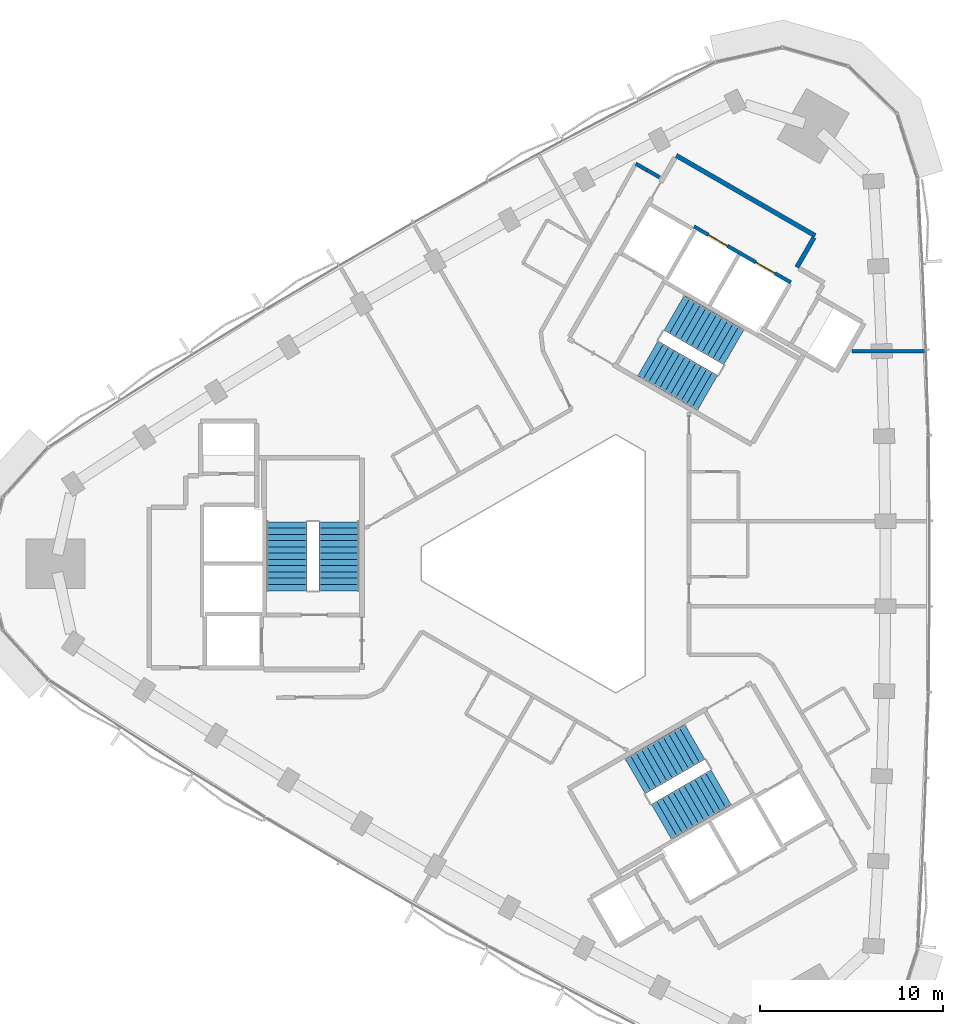
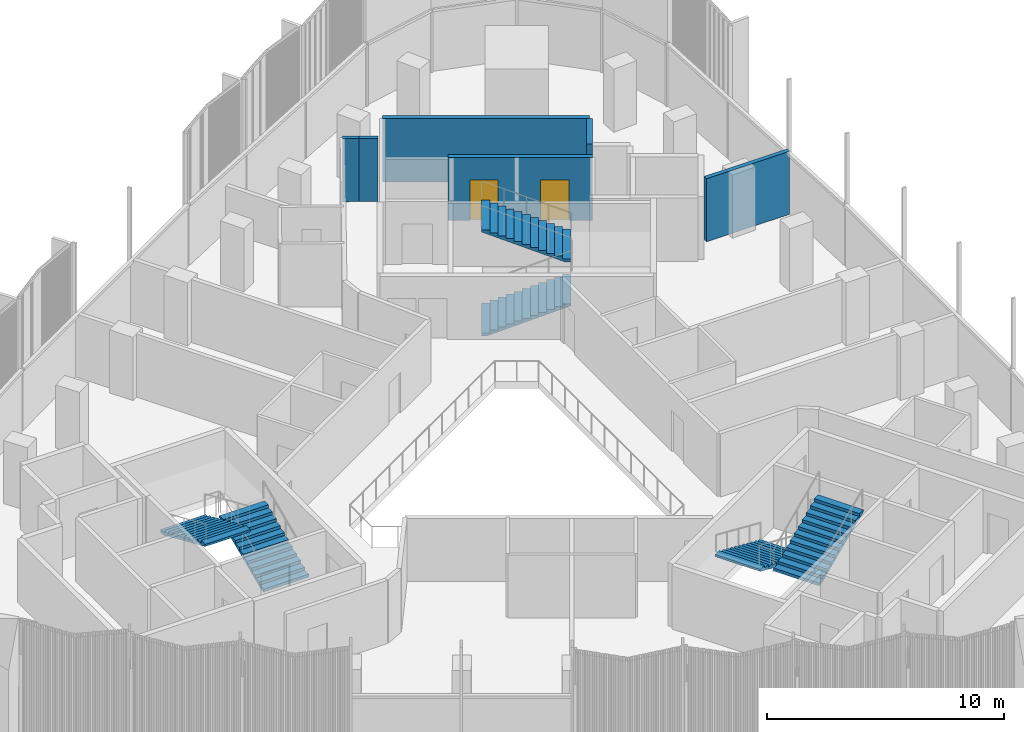
# One storey, part 10 of 13: 6 stair flights, 6 walls, 2 doors, 2 openings, 3 elements without a shape of their own.
"""IFC4 building model written with IfcOpenShell, lengths in metres."""

import ifcopenshell
import ifcopenshell.guid

model = None  # the IFC model being written
_history = None  # IfcOwnerHistory: only IFC2X3 demands one
_inside = {}  # id of a spatial element -> (the spatial element, [elements in it])
_under = {}  # id of a project, library or spatial element -> (it, [spatial elements below it])
_declared = {}  # id of a project -> (the project, [libraries it declares])
_typed = {}  # id of a type object -> (the type object, [elements of that type])
_made_of = {}  # id of a material, layer set ... -> (it, [elements and type objects made of it])


def new_model(schema):
    """Start an empty IFC model of exactly this schema.

    Asked for "IFC4X3", IfcOpenShell would pick the latest addendum, in which some entities
    have other attributes; the version numbers below select the first issue.
    IFC2X3 requires an IfcOwnerHistory on every rooted entity: one is made here for all.
    """
    global model, _history
    if schema == "IFC4X3":
        model = ifcopenshell.file(schema_version=(4, 3, 0, 0))
    else:
        model = ifcopenshell.file(schema=schema)
    _inside.clear()
    _under.clear()
    _declared.clear()
    _typed.clear()
    _made_of.clear()
    _history = None
    if model.schema == "IFC2X3":
        org = make("IfcOrganization", Name="unknown")
        user = make(
            "IfcPersonAndOrganization",
            ThePerson=make("IfcPerson", FamilyName="unknown"),
            TheOrganization=org,
        )
        app = make(
            "IfcApplication",
            ApplicationDeveloper=org,
            Version="unknown",
            ApplicationFullName="unknown",
            ApplicationIdentifier="unknown",
        )
        _history = make(
            "IfcOwnerHistory",
            OwningUser=user,
            OwningApplication=app,
            ChangeAction="ADDED",
            CreationDate=0,
        )
    return model


def make(cls, **values):
    """One entity of the class cls with the attributes given. An attribute that is None is left unset."""
    return model.create_entity(
        cls, **{name: value for name, value in values.items() if value is not None}
    )


def rooted(cls, **values):
    """An entity with a GlobalId (a new one), such as an element, a storey or a relation."""
    return make(cls, GlobalId=ifcopenshell.guid.new(), OwnerHistory=_history, **values)


def si_unit(unit_type, name, prefix=None):
    """IfcSIUnit, for example si_unit("LENGTHUNIT", "METRE", prefix="MILLI")."""
    return make("IfcSIUnit", UnitType=unit_type, Prefix=prefix, Name=name)


def assignment(units):
    """IfcUnitAssignment: the units of a project."""
    return None if units is None else make("IfcUnitAssignment", Units=units)


def point(xyz):
    """IfcCartesianPoint."""
    return None if xyz is None else make("IfcCartesianPoint", Coordinates=xyz)


def direction(xyz):
    """IfcDirection."""
    return None if xyz is None else make("IfcDirection", DirectionRatios=xyz)


def frame(location, z_axis=None, x_axis=None):
    """IfcAxis2Placement3D, a coordinate frame: its origin and axes. An axis left out is left unset."""
    return make(
        "IfcAxis2Placement3D",
        Location=point(location),
        Axis=direction(z_axis),
        RefDirection=direction(x_axis),
    )


def frame_2d(location, x_axis=None):
    """IfcAxis2Placement2D, a coordinate frame in the plane: its origin and x axis."""
    return make(
        "IfcAxis2Placement2D", Location=point(location), RefDirection=direction(x_axis)
    )


def origin():
    """The frame at (0, 0, 0) with its axes left unset."""
    return frame((0.0, 0.0, 0.0))


def place(relative_to, where):
    """IfcLocalPlacement: puts the frame where relative to a parent placement (None: the world)."""
    return make(
        "IfcLocalPlacement", PlacementRelTo=relative_to, RelativePlacement=where
    )


def context(
    kind, dimensions, precision=None, world=None, true_north=None, identifier=None
):
    """IfcGeometricRepresentationContext, for example the 3D "Model" context."""
    return make(
        "IfcGeometricRepresentationContext",
        ContextIdentifier=identifier,
        ContextType=kind,
        CoordinateSpaceDimension=dimensions,
        Precision=precision,
        WorldCoordinateSystem=world,
        TrueNorth=true_north,
    )


def subcontext(parent, identifier, kind, view, scale=None):
    """IfcGeometricRepresentationSubContext, for example "Body" below "Model"."""
    return make(
        "IfcGeometricRepresentationSubContext",
        ContextIdentifier=identifier,
        ContextType=kind,
        ParentContext=parent,
        TargetScale=scale,
        TargetView=view,
    )


def project(units=None, contexts=None):
    """IfcProject with its units and contexts."""
    return rooted(
        "IfcProject",
        Name="project",
        RepresentationContexts=contexts,
        UnitsInContext=assignment(units),
    )


def spatial(cls, under=None, at=None, **own):
    """A site, building, storey or space (cls), placed at a placement, below another one or the project."""
    s = rooted(cls, ObjectPlacement=at, **own)
    if under is not None:
        _under.setdefault(under.id(), (under, []))[1].append(s)
    return s


def polyline(points):
    """IfcPolyline through the points."""
    return make("IfcPolyline", Points=[point(p) for p in points])


def profile(cls, at=None, kind="AREA", **sizes):
    """A parametric profile (cls). Its sizes go by their IFC names, for example OverallWidth=200.0."""
    return make(cls, ProfileType=kind, Position=at, **sizes)


def rectangle(**sizes):
    """IfcRectangleProfileDef."""
    return profile("IfcRectangleProfileDef", **sizes)


def outline(outer, holes=None, kind="AREA"):
    """IfcArbitraryClosedProfileDef: a profile drawn as a closed curve; with holes, ...WithVoids."""
    if holes is None:
        return make("IfcArbitraryClosedProfileDef", ProfileType=kind, OuterCurve=outer)
    return make(
        "IfcArbitraryProfileDefWithVoids",
        ProfileType=kind,
        OuterCurve=outer,
        InnerCurves=holes,
    )


def extrude(swept, where, along, depth):
    """IfcExtrudedAreaSolid: the profile swept, set in the frame where, extruded along a direction by depth."""
    return make(
        "IfcExtrudedAreaSolid",
        SweptArea=swept,
        Position=where,
        ExtrudedDirection=direction(along),
        Depth=depth,
    )


def shape(context_of_items, identifier, shape_type, items):
    """IfcShapeRepresentation: the items that make up one representation, for example the "Body"."""
    return make(
        "IfcShapeRepresentation",
        ContextOfItems=context_of_items,
        RepresentationIdentifier=identifier,
        RepresentationType=shape_type,
        Items=items,
    )


def material(Name=None, Category=None):
    """IfcMaterial."""
    return make("IfcMaterial", Name=Name, Category=Category)


def layer(
    of_material, thickness, ventilated=None, Name=None, Category=None, Priority=None
):
    """IfcMaterialLayer: one layer of a wall or slab, of a material (None: an air gap)."""
    return make(
        "IfcMaterialLayer",
        Material=of_material,
        LayerThickness=thickness,
        IsVentilated=ventilated,
        Name=Name,
        Category=Category,
        Priority=Priority,
    )


def layer_set(layers, Name=None):
    """IfcMaterialLayerSet."""
    return make("IfcMaterialLayerSet", MaterialLayers=layers, LayerSetName=Name)


def made_of(thing, what):
    """Note that an element or type object is made of a material, layer set ...; save() writes the relation."""
    if what is not None:
        _made_of.setdefault(what.id(), (what, []))[1].append(thing)
    return thing


def type_object(cls, material=None, **own):
    """A type object (cls), such as IfcWallType, which elements share."""
    return made_of(rooted(cls, **own), material)


def element(
    cls,
    number,
    at=None,
    inside=None,
    cuts=None,
    type_object=None,
    material=None,
    context=None,
    identifier="Body",
    shape_type=None,
    held_by="IfcProductDefinitionShape",
    body=None,
    shapes=None,
    **own,
):
    """One element of the class cls, such as IfcWall. Its Tag is "e" and its number.

    at: its placement. inside: the storey or other place that contains it. cuts: it is an
    opening in that element (IfcRelVoidsElement). A single representation is given by context,
    identifier, shape_type and body (its items); several are given by shapes. held_by: the class
    of the entity that holds the representations. save() writes the other relations.
    """
    e = rooted(cls, Tag="e%d" % number, ObjectPlacement=at, **own)
    if body is not None:
        shapes = [shape(context, identifier, shape_type, body)]
    if shapes is not None:
        e.Representation = make(held_by, Representations=shapes)
    if inside is not None:
        _inside.setdefault(inside.id(), (inside, []))[1].append(e)
    if cuts is not None:
        rooted(
            "IfcRelVoidsElement", RelatingBuildingElement=cuts, RelatedOpeningElement=e
        )
    if type_object is not None:
        _typed.setdefault(type_object.id(), (type_object, []))[1].append(e)
    return made_of(e, material)


def fill(opening, filler):
    """IfcRelFillsElement: the door or window that sits in an opening."""
    return rooted(
        "IfcRelFillsElement",
        RelatingOpeningElement=opening,
        RelatedBuildingElement=filler,
    )


def aggregate(whole, parts):
    """IfcRelAggregates: a whole, such as a stair, and the parts it consists of."""
    return rooted("IfcRelAggregates", RelatingObject=whole, RelatedObjects=parts)


def save(model, path):
    """Write the relations noted so far, then the file.

    IfcRelAggregates (storeys below a building ...), IfcRelContainedInSpatialStructure (elements
    in a storey), IfcRelDefinesByType, IfcRelAssociatesMaterial and IfcRelDeclares: one each for
    every whole, place, type object, material and project.
    """
    for whole, parts in _under.values():
        aggregate(whole, parts)
    for where, things in _inside.values():
        rooted(
            "IfcRelContainedInSpatialStructure",
            RelatedElements=things,
            RelatingStructure=where,
        )
    for kind, things in _typed.values():
        rooted("IfcRelDefinesByType", RelatedObjects=things, RelatingType=kind)
    for what, things in _made_of.values():
        rooted("IfcRelAssociatesMaterial", RelatedObjects=things, RelatingMaterial=what)
    for by, libraries in _declared.values():
        rooted("IfcRelDeclares", RelatingContext=by, RelatedDefinitions=libraries)
    model.write(path)


model = new_model("IFC4")

# Units and contexts
model_context = context("Model", 3, precision=1e-05, world=origin(), true_north=direction((0.0, 1.0)))
body_context = subcontext(model_context, "Body", "Model", "MODEL_VIEW")
ifc_project = project(units=[si_unit("LENGTHUNIT", "METRE"), si_unit("AREAUNIT", "SQUARE_METRE"), si_unit("VOLUMEUNIT", "CUBIC_METRE"), si_unit("PLANEANGLEUNIT", "RADIAN"), si_unit("MASSUNIT", "GRAM", prefix="KILO")], contexts=[model_context])

# Site, building, storey
site_placement = place(None, origin())
site = spatial("IfcSite", under=ifc_project, at=site_placement, CompositionType="ELEMENT")
building_placement = place(site_placement, origin())
building = spatial("IfcBuilding", under=site, at=building_placement, Name="Tamra Quay Hotel Tower", CompositionType="ELEMENT")
storey_placement = place(building_placement, frame((0.0, 0.0, 186.39990234375)))
storey = spatial("IfcBuildingStorey", under=building, at=storey_placement, Name="L46", CompositionType="ELEMENT", Elevation=186.39990234375)

# Wall, openings, doors
ifc_material_1 = material(Name="Concrete M70", Category="concrete")
ifc_layer_1 = layer(ifc_material_1, 0.199951171875)
ifc_layer_set_1 = layer_set([ifc_layer_1], Name="Concrete M70 core wall 200")
wall_type_1 = type_object("IfcWallType", Name="Concrete M70 core wall 200", PredefinedType="SHEAR", material=ifc_layer_set_1)
wall_1_placement = place(storey_placement, frame((12.552490234375, 15.341552734375, 0.0), z_axis=(0.0, 0.0, 1.0), x_axis=(-0.866030299012, 0.499991521122, 0.0)))
wall_1 = element("IfcWall", 1, at=wall_1_placement, inside=storey, type_object=wall_type_1, Name="CW2", PredefinedType="SHEAR", context=body_context, shape_type="SweptSolid", body=[
    extrude(rectangle(XDim=6.10009765625, YDim=0.199951171875, at=frame_2d((3.050048828125, 0.0))), origin(), (0.0, 0.0, 1.0), 3.25),
])
opening_1_placement = place(wall_1_placement, frame((1.0, 0.0, 0.0)))
opening_1 = element("IfcOpeningElement", 2, at=opening_1_placement, cuts=wall_1, Name="Opening LD", PredefinedType="OPENING", context=body_context, shape_type="SweptSolid", body=[
    extrude(rectangle(XDim=1.199951171875, YDim=2.10009765625, at=frame_2d((0.60009765625, 1.050048828125))), frame((0.0, 0.10986328125, 0.0), z_axis=(0.0, -1.0, 0.0), x_axis=(1.0, 0.0, 0.0)), (0.0, 0.0, 1.0), 0.219970703125),
])
opening_2_placement = place(wall_1_placement, frame((3.982177734375, 0.0, 0.0)))
opening_2 = element("IfcOpeningElement", 3, at=opening_2_placement, cuts=wall_1, Name="Opening LD", PredefinedType="OPENING", context=body_context, shape_type="SweptSolid", body=[
    extrude(rectangle(XDim=1.199951171875, YDim=2.10009765625, at=frame_2d((0.60009765625, 1.050048828125))), frame((0.0, 0.10986328125, 0.0), z_axis=(0.0, -1.0, 0.0), x_axis=(1.0, 0.0, 0.0)), (0.0, 0.0, 1.0), 0.219970703125),
])
ifc_material_2 = material(Name="Landing door LD 1200 double door sliding")
door_type = type_object("IfcDoorType", Name="Landing door LD 1200 double door sliding", OperationType="DOUBLE_DOOR_SLIDING", PredefinedType="DOOR", material=ifc_material_2)
door_1_placement = place(opening_1_placement, origin())
door_1 = element("IfcDoor", 4, at=door_1_placement, inside=storey, type_object=door_type, Name="LD", OperationType="DOUBLE_DOOR_SLIDING", OverallHeight=2.10009765625, OverallWidth=1.199951171875, PredefinedType="DOOR", context=body_context, shape_type="SweptSolid", body=[
    extrude(rectangle(XDim=1.199951171875, YDim=2.10009765625, at=frame_2d((0.60009765625, 1.050048828125))), frame((0.0, 0.02490234375, 0.0), z_axis=(0.0, -1.0, 0.0), x_axis=(1.0, 0.0, 0.0)), (0.0, 0.0, 1.0), 0.050048828125),
])
fill(opening_1, door_1)
door_2_placement = place(opening_2_placement, origin())
door_2 = element("IfcDoor", 5, at=door_2_placement, inside=storey, type_object=door_type, Name="LD", OperationType="DOUBLE_DOOR_SLIDING", OverallHeight=2.10009765625, OverallWidth=1.199951171875, PredefinedType="DOOR", context=body_context, shape_type="SweptSolid", body=[
    extrude(rectangle(XDim=1.199951171875, YDim=2.10009765625, at=frame_2d((0.60009765625, 1.050048828125))), frame((0.0, 0.02490234375, 0.0), z_axis=(0.0, -1.0, 0.0), x_axis=(1.0, 0.0, 0.0)), (0.0, 0.0, 1.0), 0.050048828125),
])
fill(opening_2, door_2)

# Walls
ifc_layer_2 = layer(ifc_material_1, 0.25)
ifc_layer_set_2 = layer_set([ifc_layer_2], Name="Concrete M70 core wall 250")
wall_type_2 = type_object("IfcWallType", Name="Concrete M70 core wall 250", PredefinedType="SHEAR", material=ifc_layer_set_2)
wall_2_placement = place(storey_placement, frame((6.303955078125, 22.268798828125, 0.0), z_axis=(0.0, 0.0, 1.0), x_axis=(0.866022959057, -0.500004234368, 0.0)))
element("IfcWall", 6, at=wall_2_placement, inside=storey, type_object=wall_type_2, Name="CW1", PredefinedType="SHEAR", context=body_context, shape_type="SweptSolid", body=[
    extrude(rectangle(XDim=8.75, YDim=0.25, at=frame_2d((4.375, 0.0))), origin(), (0.0, 0.0, 1.0), 3.25),
])
wall_3_placement = place(storey_placement, frame((13.819091796875, 17.78515625, 0.0), z_axis=(0.0, 0.0, 1.0), x_axis=(-0.500039802285, -0.866002422705, 0.0)))
element("IfcWall", 7, at=wall_3_placement, inside=storey, type_object=wall_type_2, Name="CW1", PredefinedType="SHEAR", context=body_context, shape_type="SweptSolid", body=[
    extrude(rectangle(XDim=1.864501953125, YDim=0.25, at=frame_2d((0.93212890625, 0.0))), origin(), (0.0, 0.0, 1.0), 3.25),
])
ifc_material_3 = material(Name="Partition corridor wall")
ifc_layer_3 = layer(ifc_material_3, 0.199951171875)
ifc_layer_set_3 = layer_set([ifc_layer_3], Name="Partition corridor wall")
wall_type_3 = type_object("IfcWallType", Name="Partition corridor wall", PredefinedType="PARTITIONING", material=ifc_layer_set_3)
wall_4_placement = place(storey_placement, frame((4.10205078125, 21.81591796875, 0.0), z_axis=(0.0, 0.0, 1.0), x_axis=(0.867664502326, -0.497150189986, 0.0)))
element("IfcWall", 8, at=wall_4_placement, inside=storey, type_object=wall_type_3, Name="W-C", PredefinedType="PARTITIONING", context=body_context, shape_type="SweptSolid", body=[
    extrude(rectangle(XDim=0.70166015625, YDim=0.199951171875, at=frame_2d((0.350830078125, 0.0))), origin(), (0.0, 0.0, 1.0), 3.25),
])
wall_5_placement = place(storey_placement, frame((4.716064453125, 21.468017578125, 0.0), z_axis=(0.0, 0.0, 1.0), x_axis=(0.865912682783, -0.500195187698, 0.0)))
element("IfcWall", 9, at=wall_5_placement, inside=storey, type_object=wall_type_3, Name="W-C", PredefinedType="PARTITIONING", context=body_context, shape_type="SweptSolid", body=[
    extrude(rectangle(XDim=0.789794921875, YDim=0.199951171875, at=frame_2d((0.39501953125, 0.0))), origin(), (0.0, 0.0, 1.0), 3.25),
])
ifc_material_4 = material(Name="Partition party wall")
ifc_layer_4 = layer(ifc_material_4, 0.199951171875)
ifc_layer_set_4 = layer_set([ifc_layer_4], Name="Partition party wall")
wall_type_4 = type_object("IfcWallType", Name="Partition party wall", PredefinedType="PARTITIONING", material=ifc_layer_set_4)
wall_6_placement = place(storey_placement, frame((15.884033203125, 11.592041015625, 0.0), z_axis=(0.0, 0.0, 1.0), x_axis=(1.0, 0.0, 0.0)))
element("IfcWall", 10, at=wall_6_placement, inside=storey, type_object=wall_type_4, Name="W-P", PredefinedType="PARTITIONING", context=body_context, shape_type="SweptSolid", body=[
    extrude(rectangle(XDim=4.0419921875, YDim=0.199951171875, at=frame_2d((2.02099609375, 0.0))), origin(), (0.0, 0.0, 1.0), 3.25),
])

# Stair, stair flights
ifc_material_5 = material(Name="Exit stair 2200 24 risers 150.0 going 342")
stair_type = type_object("IfcStairType", Name="Exit stair 2200 24 risers 150.0 going 342", PredefinedType="HALF_TURN_STAIR", material=ifc_material_5)
stair_1_placement = place(storey_placement, origin())
stair_1 = element("IfcStair", 11, at=stair_1_placement, inside=storey, type_object=stair_type, Name="L46 Exit stair ST3", PredefinedType="HALF_TURN_STAIR")
ifc_material_6 = material(Name="Exit stair flight 2200 12 risers 150.0")
stair_flight_type = type_object("IfcStairFlightType", Name="Exit stair flight 2200 12 risers 150.0", PredefinedType="STRAIGHT", material=ifc_material_6)
stair_flight_1_placement = place(storey_placement, frame((-12.082275390625, -1.47998046875, 0.0), z_axis=(0.0, 0.0, 1.0), x_axis=(0.0, 1.0, 0.0)))
stair_flight_1 = element("IfcStairFlight", 12, at=stair_flight_1_placement, type_object=stair_flight_type, Name="ST3 flight 1", NumberOfRisers=12, NumberOfTreads=11, PredefinedType="STRAIGHT", RiserHeight=0.15, TreadLength=0.342, context=body_context, shape_type="SweptSolid", body=[
    extrude(outline(polyline([(0.0, 0.0), (0.0, 0.14990234375), (0.342041015625, 0.14990234375), (0.342041015625, 0.300048828125), (0.68408203125, 0.300048828125), (0.68408203125, 0.449951171875), (1.02587890625, 0.449951171875), (1.02587890625, 0.60009765625), (1.367919921875, 0.60009765625), (1.367919921875, 0.75), (1.7099609375, 0.75), (1.7099609375, 0.89990234375), (2.052001953125, 0.89990234375), (2.052001953125, 1.050048828125), (2.39404296875, 1.050048828125), (2.39404296875, 1.199951171875), (2.736083984375, 1.199951171875), (2.736083984375, 1.35009765625), (3.077880859375, 1.35009765625), (3.077880859375, 1.5), (3.419921875, 1.5), (3.419921875, 1.64990234375), (3.761962890625, 1.64990234375), (3.761962890625, 1.800048828125), (3.761962890625, 1.540771484375), (0.249267578125, 0.0), (0.0, 0.0)])), frame((0.0, 1.10009765625, 0.0), z_axis=(0.0, -1.0, 0.0), x_axis=(1.0, 0.0, 0.0)), (0.0, 0.0, 1.0), 2.199951171875),
])
stair_flight_2_placement = place(storey_placement, frame((-14.94140625, 2.281982421875, 1.800048828125), z_axis=(0.0, 0.0, 1.0), x_axis=(0.0, -1.0, 0.0)))
stair_flight_2 = element("IfcStairFlight", 13, at=stair_flight_2_placement, type_object=stair_flight_type, Name="ST3 flight 2", NumberOfRisers=12, NumberOfTreads=11, PredefinedType="STRAIGHT", RiserHeight=0.15, TreadLength=0.342, context=body_context, shape_type="SweptSolid", body=[
    extrude(outline(polyline([(0.0, 0.0), (0.0, 0.14990234375), (0.342041015625, 0.14990234375), (0.342041015625, 0.300048828125), (0.68408203125, 0.300048828125), (0.68408203125, 0.449951171875), (1.02587890625, 0.449951171875), (1.02587890625, 0.60009765625), (1.367919921875, 0.60009765625), (1.367919921875, 0.75), (1.7099609375, 0.75), (1.7099609375, 0.89990234375), (2.052001953125, 0.89990234375), (2.052001953125, 1.050048828125), (2.39404296875, 1.050048828125), (2.39404296875, 1.199951171875), (2.736083984375, 1.199951171875), (2.736083984375, 1.35009765625), (3.077880859375, 1.35009765625), (3.077880859375, 1.5), (3.419921875, 1.5), (3.419921875, 1.64990234375), (3.761962890625, 1.64990234375), (3.761962890625, 1.800048828125), (3.761962890625, 1.540771484375), (0.249267578125, 0.0), (0.0, 0.0)])), frame((0.0, 1.10009765625, 0.0), z_axis=(0.0, -1.0, 0.0), x_axis=(1.0, 0.0, 0.0)), (0.0, 0.0, 1.0), 2.199951171875),
])
aggregate(stair_1, [stair_flight_1, stair_flight_2])

stair_2_placement = place(storey_placement, origin())
stair_2 = element("IfcStair", 14, at=stair_2_placement, inside=storey, type_object=stair_type, Name="L46 Exit stair ST1", PredefinedType="HALF_TURN_STAIR")
stair_flight_3_placement = place(storey_placement, frame((4.75927734375, 11.20361328125, 0.0), z_axis=(0.0, 0.0, 1.0), x_axis=(0.866025403784, -0.5, 0.0)))
stair_flight_3 = element("IfcStairFlight", 15, at=stair_flight_3_placement, type_object=stair_flight_type, Name="ST1 flight 1", NumberOfRisers=12, NumberOfTreads=11, PredefinedType="STRAIGHT", RiserHeight=0.15, TreadLength=0.342, context=body_context, shape_type="SweptSolid", body=[
    extrude(outline(polyline([(0.0, 0.0), (0.0, 0.14990234375), (0.342041015625, 0.14990234375), (0.342041015625, 0.300048828125), (0.68408203125, 0.300048828125), (0.68408203125, 0.449951171875), (1.02587890625, 0.449951171875), (1.02587890625, 0.60009765625), (1.367919921875, 0.60009765625), (1.367919921875, 0.75), (1.7099609375, 0.75), (1.7099609375, 0.89990234375), (2.052001953125, 0.89990234375), (2.052001953125, 1.050048828125), (2.39404296875, 1.050048828125), (2.39404296875, 1.199951171875), (2.736083984375, 1.199951171875), (2.736083984375, 1.35009765625), (3.077880859375, 1.35009765625), (3.077880859375, 1.5), (3.419921875, 1.5), (3.419921875, 1.64990234375), (3.761962890625, 1.64990234375), (3.761962890625, 1.800048828125), (3.761962890625, 1.540771484375), (0.249267578125, 0.0), (0.0, 0.0)])), frame((0.0, 1.10009765625, 0.0), z_axis=(0.0, -1.0, 0.0), x_axis=(1.0, 0.0, 0.0)), (0.0, 0.0, 1.0), 2.199951171875),
])
stair_flight_4_placement = place(storey_placement, frame((9.44677734375, 11.798583984375, 1.800048828125), z_axis=(0.0, 0.0, 1.0), x_axis=(-0.866025403784, 0.5, 0.0)))
stair_flight_4 = element("IfcStairFlight", 16, at=stair_flight_4_placement, type_object=stair_flight_type, Name="ST1 flight 2", NumberOfRisers=12, NumberOfTreads=11, PredefinedType="STRAIGHT", RiserHeight=0.15, TreadLength=0.342, context=body_context, shape_type="SweptSolid", body=[
    extrude(outline(polyline([(0.0, 0.0), (0.0, 0.14990234375), (0.342041015625, 0.14990234375), (0.342041015625, 0.300048828125), (0.68408203125, 0.300048828125), (0.68408203125, 0.449951171875), (1.02587890625, 0.449951171875), (1.02587890625, 0.60009765625), (1.367919921875, 0.60009765625), (1.367919921875, 0.75), (1.7099609375, 0.75), (1.7099609375, 0.89990234375), (2.052001953125, 0.89990234375), (2.052001953125, 1.050048828125), (2.39404296875, 1.050048828125), (2.39404296875, 1.199951171875), (2.736083984375, 1.199951171875), (2.736083984375, 1.35009765625), (3.077880859375, 1.35009765625), (3.077880859375, 1.5), (3.419921875, 1.5), (3.419921875, 1.64990234375), (3.761962890625, 1.64990234375), (3.761962890625, 1.800048828125), (3.761962890625, 1.540771484375), (0.249267578125, 0.0), (0.0, 0.0)])), frame((0.0, 1.10009765625, 0.0), z_axis=(0.0, -1.0, 0.0), x_axis=(1.0, 0.0, 0.0)), (0.0, 0.0, 1.0), 2.199951171875),
])
aggregate(stair_2, [stair_flight_3, stair_flight_4])

stair_3_placement = place(storey_placement, origin())
stair_3 = element("IfcStair", 17, at=stair_3_placement, inside=storey, type_object=stair_type, Name="L46 Exit stair ST2", PredefinedType="HALF_TURN_STAIR")
stair_flight_5_placement = place(storey_placement, frame((7.322998046875, -9.7236328125, 0.0), z_axis=(0.0, 0.0, 1.0), x_axis=(-0.866025403784, -0.5, 0.0)))
stair_flight_5 = element("IfcStairFlight", 18, at=stair_flight_5_placement, type_object=stair_flight_type, Name="ST2 flight 1", NumberOfRisers=12, NumberOfTreads=11, PredefinedType="STRAIGHT", RiserHeight=0.15, TreadLength=0.342, context=body_context, shape_type="SweptSolid", body=[
    extrude(outline(polyline([(0.0, 0.0), (0.0, 0.14990234375), (0.342041015625, 0.14990234375), (0.342041015625, 0.300048828125), (0.68408203125, 0.300048828125), (0.68408203125, 0.449951171875), (1.02587890625, 0.449951171875), (1.02587890625, 0.60009765625), (1.367919921875, 0.60009765625), (1.367919921875, 0.75), (1.7099609375, 0.75), (1.7099609375, 0.89990234375), (2.052001953125, 0.89990234375), (2.052001953125, 1.050048828125), (2.39404296875, 1.050048828125), (2.39404296875, 1.199951171875), (2.736083984375, 1.199951171875), (2.736083984375, 1.35009765625), (3.077880859375, 1.35009765625), (3.077880859375, 1.5), (3.419921875, 1.5), (3.419921875, 1.64990234375), (3.761962890625, 1.64990234375), (3.761962890625, 1.800048828125), (3.761962890625, 1.540771484375), (0.249267578125, 0.0), (0.0, 0.0)])), frame((0.0, 1.10009765625, 0.0), z_axis=(0.0, -1.0, 0.0), x_axis=(1.0, 0.0, 0.0)), (0.0, 0.0, 1.0), 2.199951171875),
])
stair_flight_6_placement = place(storey_placement, frame((5.494384765625, -14.08056640625, 1.800048828125), z_axis=(0.0, 0.0, 1.0), x_axis=(0.866025403784, 0.5, 0.0)))
stair_flight_6 = element("IfcStairFlight", 19, at=stair_flight_6_placement, type_object=stair_flight_type, Name="ST2 flight 2", NumberOfRisers=12, NumberOfTreads=11, PredefinedType="STRAIGHT", RiserHeight=0.15, TreadLength=0.342, context=body_context, shape_type="SweptSolid", body=[
    extrude(outline(polyline([(0.0, 0.0), (0.0, 0.14990234375), (0.342041015625, 0.14990234375), (0.342041015625, 0.300048828125), (0.68408203125, 0.300048828125), (0.68408203125, 0.449951171875), (1.02587890625, 0.449951171875), (1.02587890625, 0.60009765625), (1.367919921875, 0.60009765625), (1.367919921875, 0.75), (1.7099609375, 0.75), (1.7099609375, 0.89990234375), (2.052001953125, 0.89990234375), (2.052001953125, 1.050048828125), (2.39404296875, 1.050048828125), (2.39404296875, 1.199951171875), (2.736083984375, 1.199951171875), (2.736083984375, 1.35009765625), (3.077880859375, 1.35009765625), (3.077880859375, 1.5), (3.419921875, 1.5), (3.419921875, 1.64990234375), (3.761962890625, 1.64990234375), (3.761962890625, 1.800048828125), (3.761962890625, 1.540771484375), (0.249267578125, 0.0), (0.0, 0.0)])), frame((0.0, 1.10009765625, 0.0), z_axis=(0.0, -1.0, 0.0), x_axis=(1.0, 0.0, 0.0)), (0.0, 0.0, 1.0), 2.199951171875),
])
aggregate(stair_3, [stair_flight_5, stair_flight_6])

save(model, "model.ifc")
